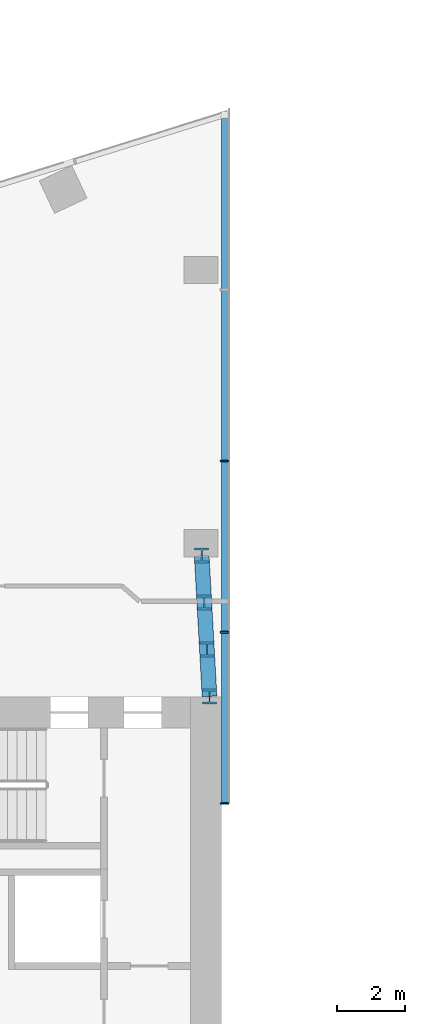
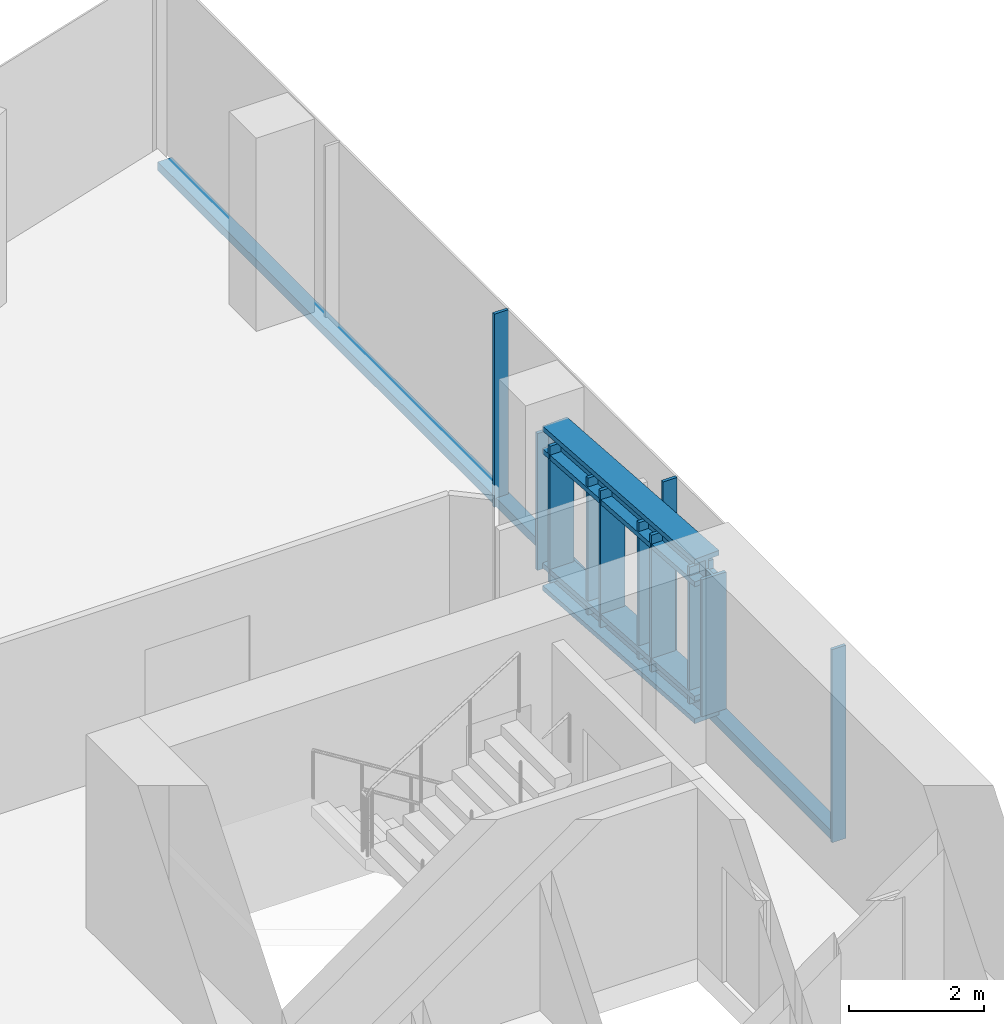
# One storey, part 6 of 23: 10 members, 1 element without a shape of its own.
"""IFC4 building model written with IfcOpenShell, lengths in metres."""

from ifc_helpers import new_model, si_unit, direction, frame, origin, origin_2d, place, context, subcontext, project, spatial, rectangle, i_section, extrude, material, material_profile, profile_set, type_object, element, aggregate, save


model = new_model("IFC4")

# Units and contexts
model_context = context("Model", 3, precision=1e-05, world=origin(), true_north=direction((0.0, 1.0)))
body_context = subcontext(model_context, "Body", "Model", "MODEL_VIEW")
ifc_project = project(units=[si_unit("LENGTHUNIT", "METRE"), si_unit("AREAUNIT", "SQUARE_METRE"), si_unit("VOLUMEUNIT", "CUBIC_METRE"), si_unit("PLANEANGLEUNIT", "RADIAN"), si_unit("MASSUNIT", "GRAM", prefix="KILO")], contexts=[model_context])

# Site, building, storey
site_placement = place(None, origin())
site = spatial("IfcSite", under=ifc_project, at=site_placement, CompositionType="ELEMENT")
building_placement = place(site_placement, origin())
building = spatial("IfcBuilding", under=site, at=building_placement, Name="Orlundy Tower", CompositionType="ELEMENT")
storey_placement = place(building_placement, frame((0.0, 0.0, 257.0)))
storey = spatial("IfcBuildingStorey", under=building, at=storey_placement, Name="L68", CompositionType="ELEMENT", Elevation=257.0)

# Curtain wall, members
ifc_material_1 = material(Name="Aluminium bronze anodised", Category="aluminium")
curtain_wall_type = type_object("IfcCurtainWallType", Name="CW1 wall", PredefinedType="NOTDEFINED", material=ifc_material_1)
curtain_wall_placement = place(storey_placement, origin())
curtain_wall = element("IfcCurtainWall", 1, at=curtain_wall_placement, inside=storey, type_object=curtain_wall_type, Name="CW1 run 04", PredefinedType="NOTDEFINED")
ifc_material_2 = material(Name="Aluminium bronze anodised", Category="aluminium")
ifc_material_profile_1 = material_profile(ifc_material_2, rectangle(XDim=0.239990234375, YDim=0.050048828125, at=origin_2d()), Name="CW6 mullion 50x240")
ifc_profile_set_1 = profile_set([ifc_material_profile_1], Name="Aluminium bronze anodised")
member_type_1 = type_object("IfcMemberType", Name="CW6 mullion 50x240", PredefinedType="MULLION", material=ifc_profile_set_1)
member_1_placement = place(storey_placement, frame((-7.909912109375, 18.908203125, -0.39990234375), z_axis=(0.0, 0.0, 1.0), x_axis=(1.0, 0.0, 0.0)))
member_1 = element("IfcMember", 2, at=member_1_placement, type_object=member_type_1, Name="CW6 mullion 18", PredefinedType="MULLION", context=body_context, shape_type="SweptSolid", body=[
    extrude(rectangle(XDim=0.239990234375, YDim=0.050048828125, at=origin_2d()), origin(), (0.0, 0.0, 1.0), 3.5),
])
member_2_placement = place(storey_placement, frame((-7.909912109375, 13.897216796875, -0.39990234375), z_axis=(0.0, 0.0, 1.0), x_axis=(1.0, 0.0, 0.0)))
member_2 = element("IfcMember", 3, at=member_2_placement, type_object=member_type_1, Name="CW6 mullion 19", PredefinedType="MULLION", context=body_context, shape_type="SweptSolid", body=[
    extrude(rectangle(XDim=0.239990234375, YDim=0.050048828125, at=origin_2d()), origin(), (0.0, 0.0, 1.0), 3.5),
])
member_3_placement = place(storey_placement, frame((-7.909912109375, 8.88623046875, -0.39990234375), z_axis=(0.0, 0.0, 1.0), x_axis=(1.0, 0.0, 0.0)))
member_3 = element("IfcMember", 4, at=member_3_placement, type_object=member_type_1, Name="CW6 mullion 20", PredefinedType="MULLION", context=body_context, shape_type="SweptSolid", body=[
    extrude(rectangle(XDim=0.239990234375, YDim=0.050048828125, at=origin_2d()), origin(), (0.0, 0.0, 1.0), 3.5),
])
ifc_material_3 = material(Name="Aluminium bronze anodised", Category="aluminium")
ifc_material_profile_2 = material_profile(ifc_material_3, rectangle(XDim=0.239990234375, YDim=0.159912109375, at=origin_2d()), Name="CW6 transom 240x160")
ifc_profile_set_2 = profile_set([ifc_material_profile_2], Name="Aluminium bronze anodised")
member_type_2 = type_object("IfcMemberType", Name="CW6 transom 240x160", PredefinedType="USERDEFINED", material=ifc_profile_set_2)
member_4_placement = place(storey_placement, frame((-7.8798828125, 28.929931640625, -0.320068359375), z_axis=(0.0, -1.0, 0.0), x_axis=(1.0, 0.0, 0.0)))
member_4 = element("IfcMember", 5, at=member_4_placement, type_object=member_type_2, Name="CW6 transom", ObjectType="TRANSOM", PredefinedType="USERDEFINED", context=body_context, shape_type="SweptSolid", body=[
    extrude(rectangle(XDim=0.239990234375, YDim=0.159912109375, at=origin_2d()), origin(), (0.0, 0.0, 1.0), 20.0185546875),
])
aggregate(curtain_wall, [member_1, member_2, member_3, member_4])

# Members
ifc_material_4 = material(Name="Steel ASTM A992 Gr 50", Category="steel")
ifc_material_profile_3 = material_profile(ifc_material_4, i_section(OverallWidth=0.43212890625, OverallDepth=0.497802734375, WebThickness=0.0556640625, FlangeThickness=0.0888671875, at=origin_2d()), Name="W14X500")
ifc_profile_set_3 = profile_set([ifc_material_profile_3], Name="Steel ASTM A992 Gr 50")
member_type_3 = type_object("IfcMemberType", Name="PORTAL EDGE TRUSS chord W14X500", PredefinedType="CHORD", material=ifc_profile_set_3)
for number, where, z_axis, x_axis, name in (
    (6, (-8.35009765625, 12.02001953125, 0.28466796875), (-0.05566660133, 0.998449412588, 0.0), (-0.998449412588, -0.05566660133, 0.0), "Portal edge truss bottom chord PE-WN"),
    (7, (-8.35009765625, 12.02001953125, 2.765380859375), (-0.05566660133, 0.998449412588, 0.0), (-0.998449412588, -0.05566660133, 0.0), "Portal edge truss top chord PE-WN"),
):
    element("IfcMember", number, at=place(storey_placement, frame(where, z_axis=z_axis, x_axis=x_axis)), inside=storey, type_object=member_type_3, Name=name, PredefinedType="CHORD", context=body_context, shape_type="SweptSolid", body=[
        extrude(i_section(OverallWidth=0.43212890625, OverallDepth=0.497802734375, WebThickness=0.0556640625, FlangeThickness=0.0888671875, at=origin_2d()), origin(), (0.0, 0.0, 1.0), 4.126953125),
    ])
ifc_material_5 = material(Name="Steel ASTM A992 Gr 50", Category="steel")
ifc_material_profile_4 = material_profile(ifc_material_5, i_section(OverallWidth=0.412109375, OverallDepth=0.434814453125, WebThickness=0.035888671875, FlangeThickness=0.057373046875, at=origin_2d()), Name="W14X311")
ifc_profile_set_4 = profile_set([ifc_material_profile_4], Name="Steel ASTM A992 Gr 50")
member_type_4 = type_object("IfcMemberType", Name="PORTAL EDGE TRUSS post W14X311", PredefinedType="POST", material=ifc_profile_set_4)
for number, where, z_axis, x_axis, name in (
    (8, (-8.35009765625, 12.02001953125, 0.28466796875), (0.0, 0.0, 1.0), (1.0, 0.0, 0.0), "Portal edge truss post PE-WN-0"),
    (9, (-8.426513671875, 13.3935546875, 0.28466796875), (0.0, 0.0, 1.0), (1.0, 0.0, 0.0), "Portal edge truss post PE-WN-1"),
    (10, (-8.50341796875, 14.76708984375, 0.28466796875), (0.0, 0.0, 1.0), (1.0, 0.0, 0.0), "Portal edge truss post PE-WN-2"),
    (11, (-8.579833984375, 16.140625, 0.28466796875), (0.0, 0.0, 1.0), (1.0, 0.0, 0.0), "Portal edge truss post PE-WN-3"),
):
    element("IfcMember", number, at=place(storey_placement, frame(where, z_axis=z_axis, x_axis=x_axis)), inside=storey, type_object=member_type_4, Name=name, PredefinedType="POST", context=body_context, shape_type="SweptSolid", body=[
        extrude(i_section(OverallWidth=0.412109375, OverallDepth=0.434814453125, WebThickness=0.035888671875, FlangeThickness=0.057373046875, at=origin_2d()), origin(), (0.0, 0.0, 1.0), 2.480712890625),
    ])

save(model, "model.ifc")
